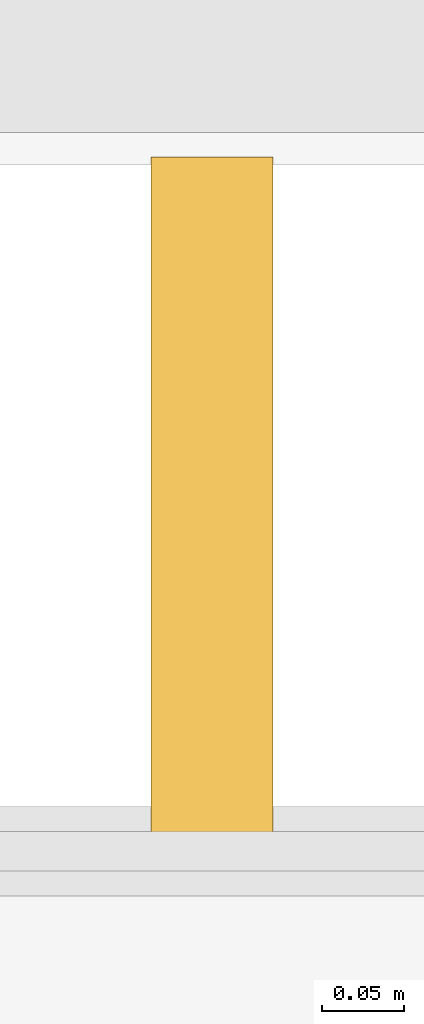
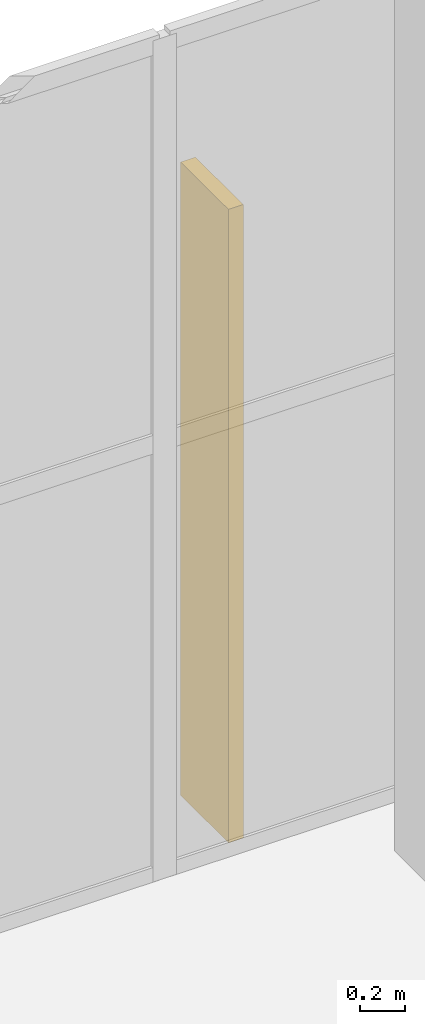
# One storey, part 92 of 96: 1 shading device.
"""IFC4 building model written with IfcOpenShell, lengths in metres."""

from ifc_helpers import new_model, si_unit, direction, frame, origin, origin_2d, place, context, subcontext, project, spatial, rectangle, extrude, material, type_object, element, save


model = new_model("IFC4")

# Units and contexts
model_context = context("Model", 3, precision=1e-05, world=origin(), true_north=direction((0.0, 1.0)))
body_context = subcontext(model_context, "Body", "Model", "MODEL_VIEW")
ifc_project = project(units=[si_unit("LENGTHUNIT", "METRE"), si_unit("AREAUNIT", "SQUARE_METRE"), si_unit("VOLUMEUNIT", "CUBIC_METRE"), si_unit("PLANEANGLEUNIT", "RADIAN"), si_unit("MASSUNIT", "GRAM", prefix="KILO")], contexts=[model_context])

# Site, building, storey
site_placement = place(None, origin())
site = spatial("IfcSite", under=ifc_project, at=site_placement, CompositionType="ELEMENT")
building_placement = place(site_placement, origin())
building = spatial("IfcBuilding", under=site, at=building_placement, Name="Cendralis Terraced Arcade", CompositionType="ELEMENT")
storey_placement = place(building_placement, frame((0.0, 0.0, 10.199951171875)))
storey = spatial("IfcBuildingStorey", under=building, at=storey_placement, Name="L02", CompositionType="ELEMENT", Elevation=10.199951171875)

# Shading device
ifc_material = material(Name="Anodised aluminium EN AW-6063 T6", Category="aluminium")
shading_device_type = type_object("IfcShadingDeviceType", Name="SHD-FIN-420", PredefinedType="USERDEFINED", material=ifc_material)
shading_device_placement = place(storey_placement, frame((129.14990234375, 112.614990234375, 0.050048828125), z_axis=(0.0, 0.0, 1.0), x_axis=(1.0, 0.0, 0.0)))
element("IfcShadingDevice", 1, at=shading_device_placement, inside=storey, type_object=shading_device_type, Name="Parametric Vertical Solar Fin FIN-L02-062", ObjectType="FIN", PredefinedType="USERDEFINED", context=body_context, shape_type="SweptSolid", body=[
    extrude(rectangle(XDim=0.074951171875, YDim=0.419921875, at=origin_2d()), origin(), (0.0, 0.0, 1.0), 3.39990234375),
])

save(model, "model.ifc")
